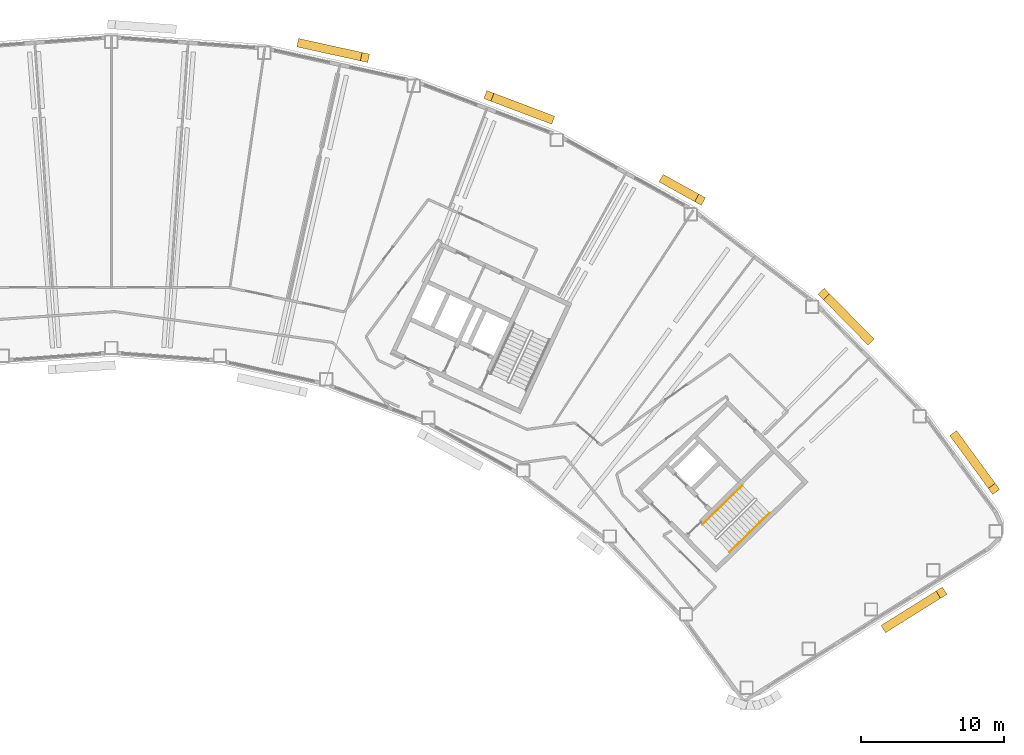
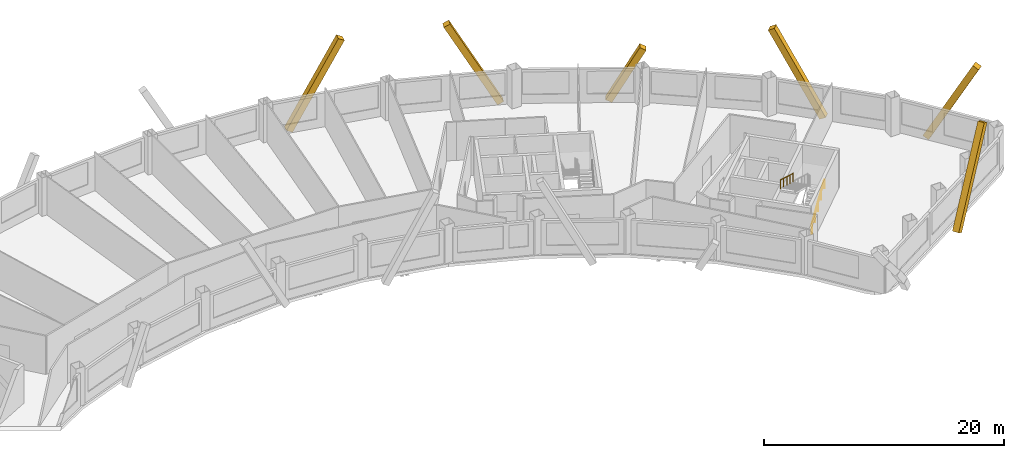
# One storey, part 14 of 14: 6 coverings, 2 railings.
"""IFC4 building model written with IfcOpenShell, lengths in metres."""

import ifcopenshell
import ifcopenshell.guid

model = None  # the IFC model being written
_history = None  # IfcOwnerHistory: only IFC2X3 demands one
_inside = {}  # id of a spatial element -> (the spatial element, [elements in it])
_under = {}  # id of a project, library or spatial element -> (it, [spatial elements below it])
_declared = {}  # id of a project -> (the project, [libraries it declares])
_typed = {}  # id of a type object -> (the type object, [elements of that type])
_made_of = {}  # id of a material, layer set ... -> (it, [elements and type objects made of it])


def new_model(schema):
    """Start an empty IFC model of exactly this schema.

    Asked for "IFC4X3", IfcOpenShell would pick the latest addendum, in which some entities
    have other attributes; the version numbers below select the first issue.
    IFC2X3 requires an IfcOwnerHistory on every rooted entity: one is made here for all.
    """
    global model, _history
    if schema == "IFC4X3":
        model = ifcopenshell.file(schema_version=(4, 3, 0, 0))
    else:
        model = ifcopenshell.file(schema=schema)
    _inside.clear()
    _under.clear()
    _declared.clear()
    _typed.clear()
    _made_of.clear()
    _history = None
    if model.schema == "IFC2X3":
        org = make("IfcOrganization", Name="unknown")
        user = make(
            "IfcPersonAndOrganization",
            ThePerson=make("IfcPerson", FamilyName="unknown"),
            TheOrganization=org,
        )
        app = make(
            "IfcApplication",
            ApplicationDeveloper=org,
            Version="unknown",
            ApplicationFullName="unknown",
            ApplicationIdentifier="unknown",
        )
        _history = make(
            "IfcOwnerHistory",
            OwningUser=user,
            OwningApplication=app,
            ChangeAction="ADDED",
            CreationDate=0,
        )
    return model


def make(cls, **values):
    """One entity of the class cls with the attributes given. An attribute that is None is left unset."""
    return model.create_entity(
        cls, **{name: value for name, value in values.items() if value is not None}
    )


def rooted(cls, **values):
    """An entity with a GlobalId (a new one), such as an element, a storey or a relation."""
    return make(cls, GlobalId=ifcopenshell.guid.new(), OwnerHistory=_history, **values)


def si_unit(unit_type, name, prefix=None):
    """IfcSIUnit, for example si_unit("LENGTHUNIT", "METRE", prefix="MILLI")."""
    return make("IfcSIUnit", UnitType=unit_type, Prefix=prefix, Name=name)


def assignment(units):
    """IfcUnitAssignment: the units of a project."""
    return None if units is None else make("IfcUnitAssignment", Units=units)


def point(xyz):
    """IfcCartesianPoint."""
    return None if xyz is None else make("IfcCartesianPoint", Coordinates=xyz)


def direction(xyz):
    """IfcDirection."""
    return None if xyz is None else make("IfcDirection", DirectionRatios=xyz)


def frame(location, z_axis=None, x_axis=None):
    """IfcAxis2Placement3D, a coordinate frame: its origin and axes. An axis left out is left unset."""
    return make(
        "IfcAxis2Placement3D",
        Location=point(location),
        Axis=direction(z_axis),
        RefDirection=direction(x_axis),
    )


def frame_2d(location, x_axis=None):
    """IfcAxis2Placement2D, a coordinate frame in the plane: its origin and x axis."""
    return make(
        "IfcAxis2Placement2D", Location=point(location), RefDirection=direction(x_axis)
    )


def origin():
    """The frame at (0, 0, 0) with its axes left unset."""
    return frame((0.0, 0.0, 0.0))


def origin_2d():
    """The frame at (0, 0) in the plane with its x axis left unset."""
    return frame_2d((0.0, 0.0))


def place(relative_to, where):
    """IfcLocalPlacement: puts the frame where relative to a parent placement (None: the world)."""
    return make(
        "IfcLocalPlacement", PlacementRelTo=relative_to, RelativePlacement=where
    )


def context(
    kind, dimensions, precision=None, world=None, true_north=None, identifier=None
):
    """IfcGeometricRepresentationContext, for example the 3D "Model" context."""
    return make(
        "IfcGeometricRepresentationContext",
        ContextIdentifier=identifier,
        ContextType=kind,
        CoordinateSpaceDimension=dimensions,
        Precision=precision,
        WorldCoordinateSystem=world,
        TrueNorth=true_north,
    )


def subcontext(parent, identifier, kind, view, scale=None):
    """IfcGeometricRepresentationSubContext, for example "Body" below "Model"."""
    return make(
        "IfcGeometricRepresentationSubContext",
        ContextIdentifier=identifier,
        ContextType=kind,
        ParentContext=parent,
        TargetScale=scale,
        TargetView=view,
    )


def project(units=None, contexts=None):
    """IfcProject with its units and contexts."""
    return rooted(
        "IfcProject",
        Name="project",
        RepresentationContexts=contexts,
        UnitsInContext=assignment(units),
    )


def spatial(cls, under=None, at=None, **own):
    """A site, building, storey or space (cls), placed at a placement, below another one or the project."""
    s = rooted(cls, ObjectPlacement=at, **own)
    if under is not None:
        _under.setdefault(under.id(), (under, []))[1].append(s)
    return s


def profile(cls, at=None, kind="AREA", **sizes):
    """A parametric profile (cls). Its sizes go by their IFC names, for example OverallWidth=200.0."""
    return make(cls, ProfileType=kind, Position=at, **sizes)


def rectangle(**sizes):
    """IfcRectangleProfileDef."""
    return profile("IfcRectangleProfileDef", **sizes)


def circle(**sizes):
    """IfcCircleProfileDef."""
    return profile("IfcCircleProfileDef", **sizes)


def extrude(swept, where, along, depth):
    """IfcExtrudedAreaSolid: the profile swept, set in the frame where, extruded along a direction by depth."""
    return make(
        "IfcExtrudedAreaSolid",
        SweptArea=swept,
        Position=where,
        ExtrudedDirection=direction(along),
        Depth=depth,
    )


def shape(context_of_items, identifier, shape_type, items):
    """IfcShapeRepresentation: the items that make up one representation, for example the "Body"."""
    return make(
        "IfcShapeRepresentation",
        ContextOfItems=context_of_items,
        RepresentationIdentifier=identifier,
        RepresentationType=shape_type,
        Items=items,
    )


def material(Name=None, Category=None):
    """IfcMaterial."""
    return make("IfcMaterial", Name=Name, Category=Category)


def material_profile(
    of_material, cross_section, Name=None, Category=None, Priority=None
):
    """IfcMaterialProfile: a cross section and its material."""
    return make(
        "IfcMaterialProfile",
        Name=Name,
        Material=of_material,
        Profile=cross_section,
        Priority=Priority,
        Category=Category,
    )


def profile_set(profiles, Name=None, composite=None):
    """IfcMaterialProfileSet."""
    return make(
        "IfcMaterialProfileSet",
        Name=Name,
        MaterialProfiles=profiles,
        CompositeProfile=composite,
    )


def made_of(thing, what):
    """Note that an element or type object is made of a material, layer set ...; save() writes the relation."""
    if what is not None:
        _made_of.setdefault(what.id(), (what, []))[1].append(thing)
    return thing


def type_object(cls, material=None, **own):
    """A type object (cls), such as IfcWallType, which elements share."""
    return made_of(rooted(cls, **own), material)


def element(
    cls,
    number,
    at=None,
    inside=None,
    cuts=None,
    type_object=None,
    material=None,
    context=None,
    identifier="Body",
    shape_type=None,
    held_by="IfcProductDefinitionShape",
    body=None,
    shapes=None,
    **own,
):
    """One element of the class cls, such as IfcWall. Its Tag is "e" and its number.

    at: its placement. inside: the storey or other place that contains it. cuts: it is an
    opening in that element (IfcRelVoidsElement). A single representation is given by context,
    identifier, shape_type and body (its items); several are given by shapes. held_by: the class
    of the entity that holds the representations. save() writes the other relations.
    """
    e = rooted(cls, Tag="e%d" % number, ObjectPlacement=at, **own)
    if body is not None:
        shapes = [shape(context, identifier, shape_type, body)]
    if shapes is not None:
        e.Representation = make(held_by, Representations=shapes)
    if inside is not None:
        _inside.setdefault(inside.id(), (inside, []))[1].append(e)
    if cuts is not None:
        rooted(
            "IfcRelVoidsElement", RelatingBuildingElement=cuts, RelatedOpeningElement=e
        )
    if type_object is not None:
        _typed.setdefault(type_object.id(), (type_object, []))[1].append(e)
    return made_of(e, material)


def aggregate(whole, parts):
    """IfcRelAggregates: a whole, such as a stair, and the parts it consists of."""
    return rooted("IfcRelAggregates", RelatingObject=whole, RelatedObjects=parts)


def save(model, path):
    """Write the relations noted so far, then the file.

    IfcRelAggregates (storeys below a building ...), IfcRelContainedInSpatialStructure (elements
    in a storey), IfcRelDefinesByType, IfcRelAssociatesMaterial and IfcRelDeclares: one each for
    every whole, place, type object, material and project.
    """
    for whole, parts in _under.values():
        aggregate(whole, parts)
    for where, things in _inside.values():
        rooted(
            "IfcRelContainedInSpatialStructure",
            RelatedElements=things,
            RelatingStructure=where,
        )
    for kind, things in _typed.values():
        rooted("IfcRelDefinesByType", RelatedObjects=things, RelatingType=kind)
    for what, things in _made_of.values():
        rooted("IfcRelAssociatesMaterial", RelatedObjects=things, RelatingMaterial=what)
    for by, libraries in _declared.values():
        rooted("IfcRelDeclares", RelatingContext=by, RelatedDefinitions=libraries)
    model.write(path)


model = new_model("IFC4")

# Units and contexts
model_context = context("Model", 3, precision=1e-05, world=origin(), true_north=direction((0.0, 1.0)))
body_context = subcontext(model_context, "Body", "Model", "MODEL_VIEW")
ifc_project = project(units=[si_unit("LENGTHUNIT", "METRE"), si_unit("AREAUNIT", "SQUARE_METRE"), si_unit("VOLUMEUNIT", "CUBIC_METRE"), si_unit("PLANEANGLEUNIT", "RADIAN"), si_unit("MASSUNIT", "GRAM", prefix="KILO")], contexts=[model_context])

# Site, building, storey
site_placement = place(None, origin())
site = spatial("IfcSite", under=ifc_project, at=site_placement, CompositionType="ELEMENT")
building_placement = place(site_placement, origin())
building = spatial("IfcBuilding", under=site, at=building_placement, Name="Tuul Gate Civic Tower", CompositionType="ELEMENT")
storey_placement = place(building_placement, frame((0.0, 0.0, 209.5)))
storey = spatial("IfcBuildingStorey", under=building, at=storey_placement, Name="Level 47", CompositionType="ELEMENT", Elevation=209.5)

# Railings
ifc_material_1 = material(Name="Painted steel", Category="steel")
railing_type = type_object("IfcRailingType", Name="Stair handrail", PredefinedType="HANDRAIL", material=ifc_material_1)
railing_1_placement = place(storey_placement, frame((49.05126953125, -17.028076171875, 0.14990234375)))
element("IfcRailing", 1, at=railing_1_placement, inside=storey, type_object=railing_type, Name="Level 47 ST-3 stair handrail 1", PredefinedType="HANDRAIL", context=body_context, shape_type="SweptSolid", body=[
    extrude(circle(Radius=0.02392578125, at=origin_2d()), frame((0.0, 0.0, 0.8759765625), z_axis=(0.638737658801, 0.626083844733, 0.447250737947), x_axis=(-0.699997553204, 0.714145241186, 0.0)), (0.0, 0.0, 1.0), 4.3603515625),
    extrude(circle(Radius=0.02099609375, at=origin_2d()), origin(), (0.0, 0.0, 1.0), 0.851806640625),
    extrude(circle(Radius=0.02099609375, at=origin_2d()), frame((0.6962890625, 0.6826171875, 0.487548828125)), (0.0, 0.0, 1.0), 0.851806640625),
    extrude(circle(Radius=0.02099609375, at=origin_2d()), frame((1.392578125, 1.364990234375, 0.97509765625)), (0.0, 0.0, 1.0), 0.851806640625),
    extrude(circle(Radius=0.02099609375, at=origin_2d()), frame((2.0888671875, 2.04736328125, 1.462646484375)), (0.0, 0.0, 1.0), 0.851806640625),
    extrude(circle(Radius=0.02099609375, at=origin_2d()), frame((2.78515625, 2.72998046875, 1.9501953125)), (0.0, 0.0, 1.0), 0.851806640625),
])
railing_2_placement = place(storey_placement, frame((49.9462890625, -12.369873046875, 2.25)))
element("IfcRailing", 2, at=railing_2_placement, inside=storey, type_object=railing_type, Name="Level 47 ST-3 stair handrail 2", PredefinedType="HANDRAIL", context=body_context, shape_type="SweptSolid", body=[
    extrude(circle(Radius=0.02392578125, at=origin_2d()), frame((0.0, 0.0, 0.8759765625), z_axis=(-0.638753653487, -0.626099522554, 0.447205945863), x_axis=(0.699997553204, -0.714145241186, 0.0)), (0.0, 0.0, 1.0), 4.3603515625),
    extrude(circle(Radius=0.02099609375, at=origin_2d()), origin(), (0.0, 0.0, 1.0), 0.851806640625),
    extrude(circle(Radius=0.02099609375, at=origin_2d()), frame((-0.6962890625, -0.6826171875, 0.487548828125)), (0.0, 0.0, 1.0), 0.851806640625),
    extrude(circle(Radius=0.02099609375, at=origin_2d()), frame((-1.392578125, -1.364990234375, 0.97509765625)), (0.0, 0.0, 1.0), 0.851806640625),
    extrude(circle(Radius=0.02099609375, at=origin_2d()), frame((-2.0888671875, -2.04736328125, 1.46240234375)), (0.0, 0.0, 1.0), 0.851806640625),
    extrude(circle(Radius=0.02099609375, at=origin_2d()), frame((-2.78515625, -2.72998046875, 1.949951171875)), (0.0, 0.0, 1.0), 0.851806640625),
])

# Coverings
ifc_material_2 = material(Name="Terracotta baguette", Category="masonry")
ifc_material_profile = material_profile(ifc_material_2, rectangle(XDim=0.60009765625, YDim=0.60009765625, at=origin_2d()), Name="Terracotta baguette screen frame")
ifc_profile_set = profile_set([ifc_material_profile], Name="Terracotta baguette")
covering_type = type_object("IfcCoveringType", Name="Terracotta baguette screen frame", PredefinedType="CLADDING", material=ifc_profile_set)
covering_1_placement = place(storey_placement, frame((60.00146484375, -22.25830078125, -0.35009765625), z_axis=(0.402286551729, 0.25135553547, 0.880332849033), x_axis=(-0.529887423043, 0.848067991909, 0.0)))
element("IfcCovering", 3, at=covering_1_placement, inside=storey, type_object=covering_type, Name="Baguette 1", PredefinedType="CLADDING", context=body_context, shape_type="SweptSolid", body=[
    extrude(rectangle(XDim=0.60009765625, YDim=0.60009765625, at=origin_2d()), origin(), (0.0, 0.0, 1.0), 9.5419921875),
])
covering_2_placement = place(storey_placement, frame((67.499755859375, -12.619140625, 8.050048828125), z_axis=(-0.281384989699, 0.385244046354, -0.878868313413), x_axis=(-0.807530403609, -0.589825946569, 0.0)))
element("IfcCovering", 4, at=covering_2_placement, inside=storey, type_object=covering_type, Name="Baguette 17", PredefinedType="CLADDING", context=body_context, shape_type="SweptSolid", body=[
    extrude(rectangle(XDim=0.60009765625, YDim=0.60009765625, at=origin_2d()), origin(), (0.0, 0.0, 1.0), 9.557861328125),
])
covering_3_placement = place(storey_placement, frame((55.633544921875, 0.976806640625, 7.882080078125), z_axis=(0.33260723385, -0.339339751215, -0.879898267549), x_axis=(0.714155733534, 0.699986848634, 0.0)))
element("IfcCovering", 5, at=covering_3_placement, inside=storey, type_object=covering_type, Name="Baguette 32", PredefinedType="CLADDING", context=body_context, shape_type="SweptSolid", body=[
    extrude(rectangle(XDim=0.60009765625, YDim=0.60009765625, at=origin_2d()), origin(), (0.0, 0.0, 1.0), 9.355712890625),
])
covering_4_placement = place(storey_placement, frame((47.0, 7.550537109375, 4.923583984375), z_axis=(-0.415569789545, 0.230392347546, -0.879898355613), x_axis=(-0.484871200152, -0.874585570006, 0.0)))
element("IfcCovering", 6, at=covering_4_placement, inside=storey, type_object=covering_type, Name="Baguette 38", PredefinedType="CLADDING", context=body_context, shape_type="SweptSolid", body=[
    extrude(rectangle(XDim=0.60009765625, YDim=0.60009765625, at=origin_2d()), origin(), (0.0, 0.0, 1.0), 5.993408203125),
])
covering_5_placement = place(storey_placement, frame((32.26611328125, 14.793701171875, 8.050048828125), z_axis=(0.444459528179, -0.168066054039, -0.87989177135), x_axis=(0.353693598078, 0.935361341236, 0.0)))
element("IfcCovering", 7, at=covering_5_placement, inside=storey, type_object=covering_type, Name="Baguette 53", PredefinedType="CLADDING", context=body_context, shape_type="SweptSolid", body=[
    extrude(rectangle(XDim=0.60009765625, YDim=0.60009765625, at=origin_2d()), origin(), (0.0, 0.0, 1.0), 9.546875),
])
covering_6_placement = place(storey_placement, frame((23.62255859375, 17.472412109375, 8.050048828125), z_axis=(-0.464027544082, 0.102242056833, -0.879900562648), x_axis=(-0.215174921103, -0.976575523617, 0.0)))
element("IfcCovering", 8, at=covering_6_placement, inside=storey, type_object=covering_type, Name="Baguette 59", PredefinedType="CLADDING", context=body_context, shape_type="SweptSolid", body=[
    extrude(rectangle(XDim=0.60009765625, YDim=0.60009765625, at=origin_2d()), origin(), (0.0, 0.0, 1.0), 9.546630859375),
])

save(model, "model.ifc")
